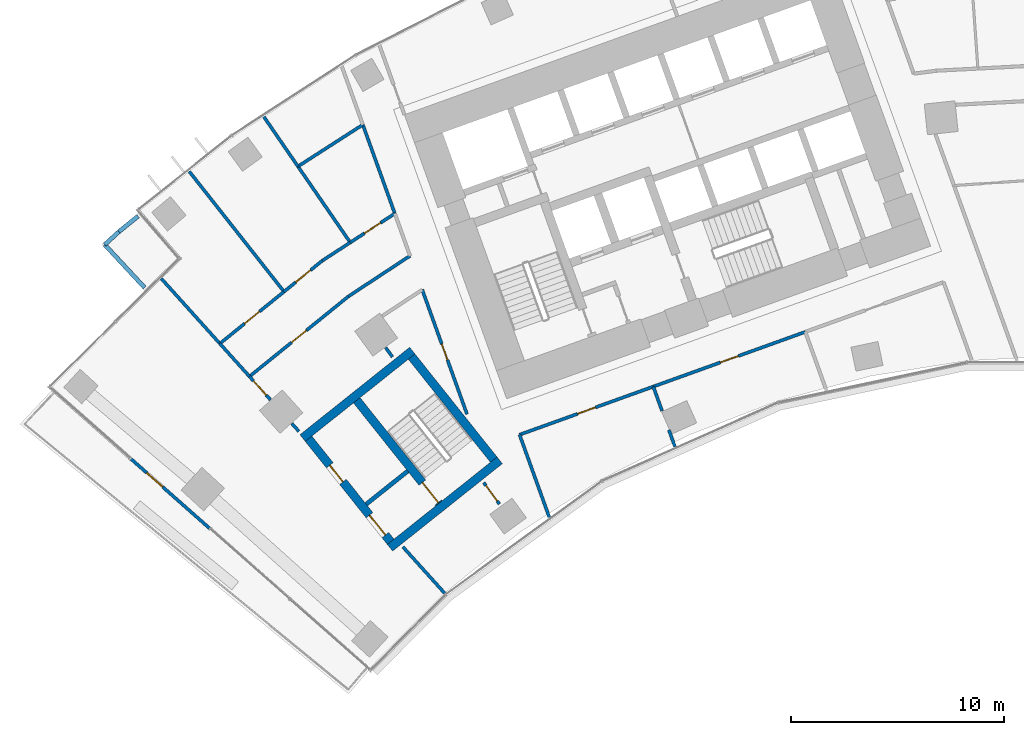
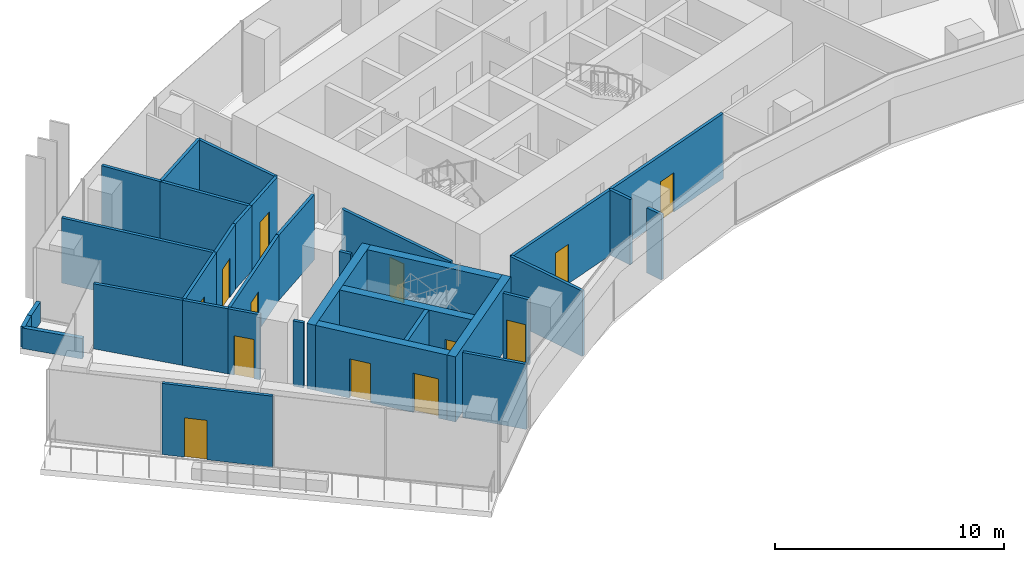
# One storey, part 13 of 21: 34 walls, 13 doors, 13 openings.
"""IFC4 building model written with IfcOpenShell, lengths in metres."""

from ifc_helpers import new_model, si_unit, direction, frame, frame_2d, origin, place, context, subcontext, project, spatial, rectangle, extrude, material, layer, layer_set, type_object, element, fill, save


model = new_model("IFC4")

# Units and contexts
model_context = context("Model", 3, precision=1e-05, world=origin(), true_north=direction((0.0, 1.0)))
body_context = subcontext(model_context, "Body", "Model", "MODEL_VIEW")
ifc_project = project(units=[si_unit("LENGTHUNIT", "METRE"), si_unit("AREAUNIT", "SQUARE_METRE"), si_unit("VOLUMEUNIT", "CUBIC_METRE"), si_unit("PLANEANGLEUNIT", "RADIAN"), si_unit("MASSUNIT", "GRAM", prefix="KILO")], contexts=[model_context])

# Site, building, storey
site_placement = place(None, origin())
site = spatial("IfcSite", under=ifc_project, at=site_placement, CompositionType="ELEMENT")
building_placement = place(site_placement, origin())
building = spatial("IfcBuilding", under=site, at=building_placement, Name="Stone Belt Terrace Tower", CompositionType="ELEMENT")
storey_placement = place(building_placement, frame((0.0, 0.0, 113.60009765625)))
storey = spatial("IfcBuildingStorey", under=building, at=storey_placement, Name="L27", CompositionType="ELEMENT", Elevation=113.60009765625)

# Wall, opening, door
ifc_material_1 = material(Name="Terracotta coloured glazed ceramic", Category="masonry")
ifc_layer_1 = layer(ifc_material_1, 0.14990234375)
ifc_layer_set_1 = layer_set([ifc_layer_1], Name="Ceramic rain-screen wall 150")
wall_type_1 = type_object("IfcWallType", Name="Ceramic rain-screen wall 150", PredefinedType="SOLIDWALL", material=ifc_layer_set_1)
wall_1_placement = place(storey_placement, frame((-43.87158203125, 38.652587890625, 0.0), z_axis=(0.0, 0.0, 1.0), x_axis=(0.749491603218, -0.662013849331, 0.0)))
wall_1 = element("IfcWall", 1, at=wall_1_placement, inside=storey, type_object=wall_type_1, Name="Door wall L27", PredefinedType="SOLIDWALL", context=body_context, shape_type="SweptSolid", body=[
    extrude(rectangle(XDim=4.93994140625, YDim=0.14990234375, at=frame_2d((2.469970703125, 0.0))), origin(), (0.0, 0.0, 1.0), 3.7998046875),
])
opening_1_placement = place(wall_1_placement, frame((1.0, 0.0, 0.0)))
opening_1 = element("IfcOpeningElement", 2, at=opening_1_placement, cuts=wall_1, Name="Opening L27-E01", PredefinedType="OPENING", context=body_context, shape_type="SweptSolid", body=[
    extrude(rectangle(XDim=1.0, YDim=2.10009765625, at=frame_2d((0.5, 1.050048828125))), frame((0.0, 0.0849609375, 0.0), z_axis=(0.0, -1.0, 0.0), x_axis=(1.0, 0.0, 0.0)), (0.0, 0.0, 1.0), 0.169921875),
])
ifc_material_2 = material(Name="Anodised aluminium glazed door", Category="aluminium")
door_type_1 = type_object("IfcDoorType", Name="Terrace door 1000 x 2100", OperationType="NOTDEFINED", PredefinedType="DOOR", material=ifc_material_2)
door_1_placement = place(opening_1_placement, origin())
door_1 = element("IfcDoor", 3, at=door_1_placement, inside=storey, type_object=door_type_1, Name="Terrace door L27", OperationType="SINGLE_SWING_RIGHT", OverallHeight=2.10009765625, OverallWidth=1.0, PredefinedType="DOOR", context=body_context, shape_type="SweptSolid", body=[
    extrude(rectangle(XDim=1.0, YDim=2.10009765625, at=frame_2d((0.5, 1.050048828125))), frame((0.0, 0.02490234375, 0.0), z_axis=(0.0, -1.0, 0.0), x_axis=(1.0, 0.0, 0.0)), (0.0, 0.0, 1.0), 0.050048828125),
])
fill(opening_1, door_1)

# Wall
ifc_material_3 = material(Name="Gypsum board partition")
ifc_layer_2 = layer(ifc_material_3, 0.14990234375)
ifc_layer_set_2 = layer_set([ifc_layer_2], Name="PARTITION 150 EI 60")
wall_type_2 = type_object("IfcWallType", Name="PARTITION 150 EI 60", PredefinedType="PARTITIONING", material=ifc_layer_set_2)
wall_2_placement = place(storey_placement, frame((-25.5859375, 39.79296875, 0.0), z_axis=(0.0, 0.0, 1.0), x_axis=(0.338545933013, -0.940949866486, 0.0)))
element("IfcWall", 4, at=wall_2_placement, inside=storey, type_object=wall_type_2, Name="L27/wall/i001", PredefinedType="PARTITIONING", context=body_context, shape_type="SweptSolid", body=[
    extrude(rectangle(XDim=4.135009765625, YDim=0.14990234375, at=frame_2d((2.0673828125, 0.0))), origin(), (0.0, 0.0, 1.0), 3.47998046875),
])

# Wall, opening, door
wall_3_placement = place(storey_placement, frame((-28.05810546875, 40.75390625, 0.0), z_axis=(0.0, 0.0, 1.0), x_axis=(-0.338523697563, 0.94095786632, 0.0)))
wall_3 = element("IfcWall", 5, at=wall_3_placement, inside=storey, type_object=wall_type_2, Name="L27/wall/i003", PredefinedType="PARTITIONING", context=body_context, shape_type="SweptSolid", body=[
    extrude(rectangle(XDim=6.226806640625, YDim=0.14990234375, at=frame_2d((3.11328125, 0.0))), origin(), (0.0, 0.0, 1.0), 3.47998046875),
])
opening_2_placement = place(wall_3_placement, frame((2.71337890625, 0.0, 0.0)))
opening_2 = element("IfcOpeningElement", 6, at=opening_2_placement, cuts=wall_3, Name="Opening D-B4-12", PredefinedType="OPENING", context=body_context, shape_type="SweptSolid", body=[
    extrude(rectangle(XDim=0.800048828125, YDim=2.10009765625, at=frame_2d((0.39990234375, 1.050048828125))), frame((0.0, 0.0849609375, 0.0), z_axis=(0.0, -1.0, 0.0), x_axis=(1.0, 0.0, 0.0)), (0.0, 0.0, 1.0), 0.169921875),
])
ifc_material_4 = material(Name="Timber door leaf", Category="wood")
door_type_2 = type_object("IfcDoorType", Name="STORE DOOR 800 X 2100", OperationType="NOTDEFINED", PredefinedType="DOOR", material=ifc_material_4)
door_2_placement = place(opening_2_placement, origin())
door_2 = element("IfcDoor", 7, at=door_2_placement, inside=storey, type_object=door_type_2, Name="L27/door/i12", OperationType="SINGLE_SWING_RIGHT", OverallHeight=2.10009765625, OverallWidth=0.800048828125, PredefinedType="DOOR", context=body_context, shape_type="SweptSolid", body=[
    extrude(rectangle(XDim=0.800048828125, YDim=2.10009765625, at=frame_2d((0.39990234375, 1.050048828125))), frame((0.0, 0.02490234375, 0.0), z_axis=(0.0, -1.0, 0.0), x_axis=(1.0, 0.0, 0.0)), (0.0, 0.0, 1.0), 0.050048828125),
])
fill(opening_2, door_2)

wall_4_placement = place(storey_placement, frame((-26.534912109375, 36.52294921875, 0.0), z_axis=(0.0, 0.0, 1.0), x_axis=(-0.58822969918, 0.80869389821, 0.0)))
wall_4 = element("IfcWall", 8, at=wall_4_placement, inside=storey, type_object=wall_type_2, Name="L27/wall/i004", PredefinedType="PARTITIONING", context=body_context, shape_type="SweptSolid", body=[
    extrude(rectangle(XDim=1.25146484375, YDim=0.14990234375, at=frame_2d((0.625732421875, 0.0))), origin(), (0.0, 0.0, 1.0), 3.47998046875),
])
opening_3_placement = place(wall_4_placement, frame((0.17578125, 0.0, 0.0)))
opening_3 = element("IfcOpeningElement", 9, at=opening_3_placement, cuts=wall_4, Name="Opening D-B4-13", PredefinedType="OPENING", context=body_context, shape_type="SweptSolid", body=[
    extrude(rectangle(XDim=0.89990234375, YDim=2.10009765625, at=frame_2d((0.449951171875, 1.050048828125))), frame((0.0, 0.0849609375, 0.0), z_axis=(0.0, -1.0, 0.0), x_axis=(1.0, 0.0, 0.0)), (0.0, 0.0, 1.0), 0.169921875),
])
door_type_3 = type_object("IfcDoorType", Name="OFFICE DOOR 900 X 2100", OperationType="NOTDEFINED", PredefinedType="DOOR", material=ifc_material_4)
door_3_placement = place(opening_3_placement, origin())
door_3 = element("IfcDoor", 10, at=door_3_placement, inside=storey, type_object=door_type_3, Name="L27/door/i13", OperationType="SINGLE_SWING_RIGHT", OverallHeight=2.10009765625, OverallWidth=0.89990234375, PredefinedType="DOOR", context=body_context, shape_type="SweptSolid", body=[
    extrude(rectangle(XDim=0.89990234375, YDim=2.10009765625, at=frame_2d((0.449951171875, 1.050048828125))), frame((0.0, 0.02490234375, 0.0), z_axis=(0.0, -1.0, 0.0), x_axis=(1.0, 0.0, 0.0)), (0.0, 0.0, 1.0), 0.050048828125),
])
fill(opening_3, door_3)

# Wall
wall_5_placement = place(storey_placement, frame((-31.451904296875, 50.18505859375, 0.0), z_axis=(0.0, 0.0, 1.0), x_axis=(-0.338639924683, 0.940916043763, 0.0)))
element("IfcWall", 11, at=wall_5_placement, inside=storey, type_object=wall_type_2, Name="L27/wall/i006", PredefinedType="PARTITIONING", context=body_context, shape_type="SweptSolid", body=[
    extrude(rectangle(XDim=4.4560546875, YDim=0.14990234375, at=frame_2d((2.22802734375, 0.0))), origin(), (0.0, 0.0, 1.0), 3.47998046875),
])

# Wall, opening, door
wall_6_placement = place(storey_placement, frame((-19.287109375, 42.052978515625, 0.0), z_axis=(0.0, 0.0, 1.0), x_axis=(-0.940935304033, -0.33858640496, 0.0)))
wall_6 = element("IfcWall", 12, at=wall_6_placement, inside=storey, type_object=wall_type_2, Name="L27/wall/i014", PredefinedType="PARTITIONING", context=body_context, shape_type="SweptSolid", body=[
    extrude(rectangle(XDim=6.692138671875, YDim=0.14990234375, at=frame_2d((3.34619140625, 0.0))), origin(), (0.0, 0.0, 1.0), 3.47998046875),
])
opening_4_placement = place(wall_6_placement, frame((2.896240234375, 0.0, 0.0)))
opening_4 = element("IfcOpeningElement", 13, at=opening_4_placement, cuts=wall_6, Name="Opening D-B4-01", PredefinedType="OPENING", context=body_context, shape_type="SweptSolid", body=[
    extrude(rectangle(XDim=0.89990234375, YDim=2.10009765625, at=frame_2d((0.449951171875, 1.050048828125))), frame((0.0, 0.0849609375, 0.0), z_axis=(0.0, -1.0, 0.0), x_axis=(1.0, 0.0, 0.0)), (0.0, 0.0, 1.0), 0.169921875),
])
door_4_placement = place(opening_4_placement, origin())
door_4 = element("IfcDoor", 14, at=door_4_placement, inside=storey, type_object=door_type_3, Name="L27/door/i01", OperationType="SINGLE_SWING_RIGHT", OverallHeight=2.10009765625, OverallWidth=0.89990234375, PredefinedType="DOOR", context=body_context, shape_type="SweptSolid", body=[
    extrude(rectangle(XDim=0.89990234375, YDim=2.10009765625, at=frame_2d((0.449951171875, 1.050048828125))), frame((0.0, 0.02490234375, 0.0), z_axis=(0.0, -1.0, 0.0), x_axis=(1.0, 0.0, 0.0)), (0.0, 0.0, 1.0), 0.050048828125),
])
fill(opening_4, door_4)

wall_7_placement = place(storey_placement, frame((-12.135009765625, 44.626953125, 0.0), z_axis=(0.0, 0.0, 1.0), x_axis=(-0.940936863003, -0.338582072534, 0.0)))
wall_7 = element("IfcWall", 15, at=wall_7_placement, inside=storey, type_object=wall_type_2, Name="L27/wall/i015", PredefinedType="PARTITIONING", context=body_context, shape_type="SweptSolid", body=[
    extrude(rectangle(XDim=7.61376953125, YDim=0.14990234375, at=frame_2d((3.806884765625, 0.0))), origin(), (0.0, 0.0, 1.0), 3.47998046875),
])
opening_5_placement = place(wall_7_placement, frame((3.35693359375, 0.0, 0.0)))
opening_5 = element("IfcOpeningElement", 16, at=opening_5_placement, cuts=wall_7, Name="Opening D-B4-02", PredefinedType="OPENING", context=body_context, shape_type="SweptSolid", body=[
    extrude(rectangle(XDim=0.89990234375, YDim=2.10009765625, at=frame_2d((0.449951171875, 1.050048828125))), frame((0.0, 0.0849609375, 0.0), z_axis=(0.0, -1.0, 0.0), x_axis=(1.0, 0.0, 0.0)), (0.0, 0.0, 1.0), 0.169921875),
])
door_5_placement = place(opening_5_placement, origin())
door_5 = element("IfcDoor", 17, at=door_5_placement, inside=storey, type_object=door_type_3, Name="L27/door/i02", OperationType="SINGLE_SWING_RIGHT", OverallHeight=2.10009765625, OverallWidth=0.89990234375, PredefinedType="DOOR", context=body_context, shape_type="SweptSolid", body=[
    extrude(rectangle(XDim=0.89990234375, YDim=2.10009765625, at=frame_2d((0.449951171875, 1.050048828125))), frame((0.0, 0.02490234375, 0.0), z_axis=(0.0, -1.0, 0.0), x_axis=(1.0, 0.0, 0.0)), (0.0, 0.0, 1.0), 0.050048828125),
])
fill(opening_5, door_5)

# Walls
wall_8_placement = place(storey_placement, frame((-19.29296875, 42.051025390625, 0.0), z_axis=(0.0, 0.0, 1.0), x_axis=(0.338726578261, -0.940884852242, 0.0)))
element("IfcWall", 18, at=wall_8_placement, inside=storey, type_object=wall_type_2, Name="L27/wall/i017", PredefinedType="PARTITIONING", context=body_context, shape_type="SweptSolid", body=[
    extrude(rectangle(XDim=1.2158203125, YDim=0.14990234375, at=frame_2d((0.60791015625, 0.0))), origin(), (0.0, 0.0, 1.0), 3.47998046875),
])
wall_9_placement = place(storey_placement, frame((-18.55908203125, 40.0126953125, 0.0), z_axis=(0.0, 0.0, 1.0), x_axis=(0.338739990078, -0.940880023766, 0.0)))
element("IfcWall", 19, at=wall_9_placement, inside=storey, type_object=wall_type_2, Name="L27/wall/i018", PredefinedType="PARTITIONING", context=body_context, shape_type="SweptSolid", body=[
    extrude(rectangle(XDim=0.842529296875, YDim=0.14990234375, at=frame_2d((0.42138671875, 0.0))), origin(), (0.0, 0.0, 1.0), 3.47998046875),
])

# Wall, opening, door
wall_10_placement = place(storey_placement, frame((-37.3076171875, 41.433837890625, 0.0), z_axis=(0.0, 0.0, 1.0), x_axis=(-0.669238977833, 0.743047233054, 0.0)))
wall_10 = element("IfcWall", 20, at=wall_10_placement, inside=storey, type_object=wall_type_2, Name="L27/wall/i037", PredefinedType="PARTITIONING", context=body_context, shape_type="SweptSolid", body=[
    extrude(rectangle(XDim=1.475341796875, YDim=0.14990234375, at=frame_2d((0.73779296875, 0.0))), origin(), (0.0, 0.0, 1.0), 3.47998046875),
])
opening_6_placement = place(wall_10_placement, frame((0.28759765625, 0.0, 0.0)))
opening_6 = element("IfcOpeningElement", 21, at=opening_6_placement, cuts=wall_10, Name="Opening D-B4-11", PredefinedType="OPENING", context=body_context, shape_type="SweptSolid", body=[
    extrude(rectangle(XDim=0.89990234375, YDim=2.10009765625, at=frame_2d((0.449951171875, 1.050048828125))), frame((0.0, 0.0849609375, 0.0), z_axis=(0.0, -1.0, 0.0), x_axis=(1.0, 0.0, 0.0)), (0.0, 0.0, 1.0), 0.169921875),
])
ifc_material_5 = material(Name="Timber fire door leaf", Category="wood")
door_type_4 = type_object("IfcDoorType", Name="TENANCY ENTRANCE DOOR 900 X 2100", OperationType="NOTDEFINED", PredefinedType="DOOR", material=ifc_material_5)
door_6_placement = place(opening_6_placement, origin())
door_6 = element("IfcDoor", 22, at=door_6_placement, inside=storey, type_object=door_type_4, Name="L27/door/i11", OperationType="SINGLE_SWING_RIGHT", OverallHeight=2.10009765625, OverallWidth=0.89990234375, PredefinedType="DOOR", context=body_context, shape_type="SweptSolid", body=[
    extrude(rectangle(XDim=0.89990234375, YDim=2.10009765625, at=frame_2d((0.449951171875, 1.050048828125))), frame((0.0, 0.02490234375, 0.0), z_axis=(0.0, -1.0, 0.0), x_axis=(1.0, 0.0, 0.0)), (0.0, 0.0, 1.0), 0.050048828125),
])
fill(opening_6, door_6)

# Walls
wall_11_placement = place(storey_placement, frame((-36.297119140625, 40.311767578125, 0.0), z_axis=(0.0, 0.0, 1.0), x_axis=(0.669100229536, -0.743172175768, 0.0)))
element("IfcWall", 23, at=wall_11_placement, inside=storey, type_object=wall_type_2, Name="L27/wall/i038", PredefinedType="PARTITIONING", context=body_context, shape_type="SweptSolid", body=[
    extrude(rectangle(XDim=0.497802734375, YDim=0.14990234375, at=frame_2d((0.2490234375, 0.0))), origin(), (0.0, 0.0, 1.0), 3.47998046875),
])
wall_12_placement = place(storey_placement, frame((-31.071044921875, 34.507080078125, 0.0), z_axis=(0.0, 0.0, 1.0), x_axis=(0.669245075227, -0.74304174128, 0.0)))
element("IfcWall", 24, at=wall_12_placement, inside=storey, type_object=wall_type_2, Name="L27/wall/i039", PredefinedType="PARTITIONING", context=body_context, shape_type="SweptSolid", body=[
    extrude(rectangle(XDim=2.9345703125, YDim=0.14990234375, at=frame_2d((1.46728515625, 0.0))), origin(), (0.0, 0.0, 1.0), 3.47998046875),
])
wall_13_placement = place(storey_placement, frame((-39.68896484375, 44.077880859375, 0.0), z_axis=(0.0, 0.0, 1.0), x_axis=(0.66913854866, -0.743137674121, 0.0)))
element("IfcWall", 25, at=wall_13_placement, inside=storey, type_object=wall_type_2, Name="L27/wall/i040", PredefinedType="PARTITIONING", context=body_context, shape_type="SweptSolid", body=[
    extrude(rectangle(XDim=2.094970703125, YDim=0.14990234375, at=frame_2d((1.04736328125, 0.0))), origin(), (0.0, 0.0, 1.0), 3.47998046875),
])
wall_14_placement = place(storey_placement, frame((-42.43896484375, 47.13232421875, 0.0), z_axis=(0.0, 0.0, 1.0), x_axis=(0.669118518317, -0.743155709421, 0.0)))
element("IfcWall", 26, at=wall_14_placement, inside=storey, type_object=wall_type_2, Name="L27/wall/i041", PredefinedType="PARTITIONING", context=body_context, shape_type="SweptSolid", body=[
    extrude(rectangle(XDim=4.121826171875, YDim=0.14990234375, at=frame_2d((2.06103515625, 0.0))), origin(), (0.0, 0.0, 1.0), 3.47998046875),
])
wall_15_placement = place(storey_placement, frame((-31.88427734375, 43.88525390625, 0.0), z_axis=(0.0, 0.0, 1.0), x_axis=(0.588064762831, -0.808813844291, 0.0)))
element("IfcWall", 27, at=wall_15_placement, inside=storey, type_object=wall_type_2, Name="L27/wall/i043", PredefinedType="PARTITIONING", context=body_context, shape_type="SweptSolid", body=[
    extrude(rectangle(XDim=0.54296875, YDim=0.14990234375, at=frame_2d((0.271484375, 0.0))), origin(), (0.0, 0.0, 1.0), 3.47998046875),
])

# Wall, opening, door
wall_16_placement = place(storey_placement, frame((-38.2900390625, 42.527099609375, 0.0), z_axis=(0.0, 0.0, 1.0), x_axis=(0.77714422733, 0.629322532513, 0.0)))
wall_16 = element("IfcWall", 28, at=wall_16_placement, inside=storey, type_object=wall_type_2, Name="L27/wall/i044", PredefinedType="PARTITIONING", context=body_context, shape_type="SweptSolid", body=[
    extrude(rectangle(XDim=5.98876953125, YDim=0.14990234375, at=frame_2d((2.994384765625, 0.0))), origin(), (0.0, 0.0, 1.0), 3.47998046875),
])
opening_7_placement = place(wall_16_placement, frame((2.54443359375, 0.0, 0.0)))
opening_7 = element("IfcOpeningElement", 29, at=opening_7_placement, cuts=wall_16, Name="Opening D-B4-14", PredefinedType="OPENING", context=body_context, shape_type="SweptSolid", body=[
    extrude(rectangle(XDim=0.89990234375, YDim=2.10009765625, at=frame_2d((0.449951171875, 1.050048828125))), frame((0.0, 0.0849609375, 0.0), z_axis=(0.0, -1.0, 0.0), x_axis=(1.0, 0.0, 0.0)), (0.0, 0.0, 1.0), 0.169921875),
])
door_7_placement = place(opening_7_placement, origin())
door_7 = element("IfcDoor", 30, at=door_7_placement, inside=storey, type_object=door_type_3, Name="L27/door/i14", OperationType="SINGLE_SWING_RIGHT", OverallHeight=2.10009765625, OverallWidth=0.89990234375, PredefinedType="DOOR", context=body_context, shape_type="SweptSolid", body=[
    extrude(rectangle(XDim=0.89990234375, YDim=2.10009765625, at=frame_2d((0.449951171875, 1.050048828125))), frame((0.0, 0.02490234375, 0.0), z_axis=(0.0, -1.0, 0.0), x_axis=(1.0, 0.0, 0.0)), (0.0, 0.0, 1.0), 0.050048828125),
])
fill(opening_7, door_7)

# Wall
wall_17_placement = place(storey_placement, frame((-33.635986328125, 46.2958984375, 0.0), z_axis=(0.0, 0.0, 1.0), x_axis=(0.835274160171, 0.549833681535, 0.0)))
element("IfcWall", 31, at=wall_17_placement, inside=storey, type_object=wall_type_2, Name="L27/wall/i045", PredefinedType="PARTITIONING", context=body_context, shape_type="SweptSolid", body=[
    extrude(rectangle(XDim=3.46826171875, YDim=0.14990234375, at=frame_2d((1.734130859375, 0.0))), origin(), (0.0, 0.0, 1.0), 3.47998046875),
])

# Wall, opening, door
wall_18_placement = place(storey_placement, frame((-39.68408203125, 44.073974609375, 0.0), z_axis=(0.0, 0.0, 1.0), x_axis=(0.777161522309, 0.629301174512, 0.0)))
wall_18 = element("IfcWall", 32, at=wall_18_placement, inside=storey, type_object=wall_type_2, Name="L27/wall/i046", PredefinedType="PARTITIONING", context=body_context, shape_type="SweptSolid", body=[
    extrude(rectangle(XDim=3.888427734375, YDim=0.14990234375, at=frame_2d((1.9443359375, 0.0))), origin(), (0.0, 0.0, 1.0), 3.47998046875),
])
opening_8_placement = place(wall_18_placement, frame((1.494140625, 0.0, 0.0)))
opening_8 = element("IfcOpeningElement", 33, at=opening_8_placement, cuts=wall_18, Name="Opening D-B4-15", PredefinedType="OPENING", context=body_context, shape_type="SweptSolid", body=[
    extrude(rectangle(XDim=0.89990234375, YDim=2.10009765625, at=frame_2d((0.449951171875, 1.050048828125))), frame((0.0, 0.0849609375, 0.0), z_axis=(0.0, -1.0, 0.0), x_axis=(1.0, 0.0, 0.0)), (0.0, 0.0, 1.0), 0.169921875),
])
door_8_placement = place(opening_8_placement, origin())
door_8 = element("IfcDoor", 34, at=door_8_placement, inside=storey, type_object=door_type_3, Name="L27/door/i15", OperationType="SINGLE_SWING_RIGHT", OverallHeight=2.10009765625, OverallWidth=0.89990234375, PredefinedType="DOOR", context=body_context, shape_type="SweptSolid", body=[
    extrude(rectangle(XDim=0.89990234375, YDim=2.10009765625, at=frame_2d((0.449951171875, 1.050048828125))), frame((0.0, 0.02490234375, 0.0), z_axis=(0.0, -1.0, 0.0), x_axis=(1.0, 0.0, 0.0)), (0.0, 0.0, 1.0), 0.050048828125),
])
fill(opening_8, door_8)

wall_19_placement = place(storey_placement, frame((-36.6708984375, 46.512939453125, 0.0), z_axis=(0.0, 0.0, 1.0), x_axis=(0.777000851917, 0.629499544178, 0.0)))
wall_19 = element("IfcWall", 35, at=wall_19_placement, inside=storey, type_object=wall_type_2, Name="L27/wall/i047", PredefinedType="PARTITIONING", context=body_context, shape_type="SweptSolid", body=[
    extrude(rectangle(XDim=2.33056640625, YDim=0.14990234375, at=frame_2d((1.165283203125, 0.0))), origin(), (0.0, 0.0, 1.0), 3.47998046875),
])
opening_9_placement = place(wall_19_placement, frame((0.71533203125, 0.0, 0.0)))
opening_9 = element("IfcOpeningElement", 36, at=opening_9_placement, cuts=wall_19, Name="Opening D-B4-16", PredefinedType="OPENING", context=body_context, shape_type="SweptSolid", body=[
    extrude(rectangle(XDim=0.89990234375, YDim=2.10009765625, at=frame_2d((0.449951171875, 1.050048828125))), frame((0.0, 0.0849609375, 0.0), z_axis=(0.0, -1.0, 0.0), x_axis=(1.0, 0.0, 0.0)), (0.0, 0.0, 1.0), 0.169921875),
])
door_9_placement = place(opening_9_placement, origin())
door_9 = element("IfcDoor", 37, at=door_9_placement, inside=storey, type_object=door_type_3, Name="L27/door/i16", OperationType="SINGLE_SWING_RIGHT", OverallHeight=2.10009765625, OverallWidth=0.89990234375, PredefinedType="DOOR", context=body_context, shape_type="SweptSolid", body=[
    extrude(rectangle(XDim=0.89990234375, YDim=2.10009765625, at=frame_2d((0.449951171875, 1.050048828125))), frame((0.0, 0.02490234375, 0.0), z_axis=(0.0, -1.0, 0.0), x_axis=(1.0, 0.0, 0.0)), (0.0, 0.0, 1.0), 0.050048828125),
])
fill(opening_9, door_9)

# Wall
wall_20_placement = place(storey_placement, frame((-34.860107421875, 47.97998046875, 0.0), z_axis=(0.0, 0.0, 1.0), x_axis=(0.838795891519, 0.54444600501, 0.0)))
element("IfcWall", 38, at=wall_20_placement, inside=storey, type_object=wall_type_2, Name="L27/wall/i048", PredefinedType="PARTITIONING", context=body_context, shape_type="SweptSolid", body=[
    extrude(rectangle(XDim=1.56689453125, YDim=0.14990234375, at=frame_2d((0.783447265625, 0.0))), origin(), (0.0, 0.0, 1.0), 3.47998046875),
])

# Wall, opening, door
wall_21_placement = place(storey_placement, frame((-33.555908203125, 48.826904296875, 0.0), z_axis=(0.0, 0.0, 1.0), x_axis=(0.838837427298, 0.544382007935, 0.0)))
wall_21 = element("IfcWall", 39, at=wall_21_placement, inside=storey, type_object=wall_type_2, Name="L27/wall/i049", PredefinedType="PARTITIONING", context=body_context, shape_type="SweptSolid", body=[
    extrude(rectangle(XDim=2.505615234375, YDim=0.14990234375, at=frame_2d((1.2529296875, 0.0))), origin(), (0.0, 0.0, 1.0), 3.47998046875),
])
opening_10_placement = place(wall_21_placement, frame((0.802978515625, 0.0, 0.0)))
opening_10 = element("IfcOpeningElement", 40, at=opening_10_placement, cuts=wall_21, Name="Opening D-B4-17", PredefinedType="OPENING", context=body_context, shape_type="SweptSolid", body=[
    extrude(rectangle(XDim=0.89990234375, YDim=2.10009765625, at=frame_2d((0.449951171875, 1.050048828125))), frame((0.0, 0.0849609375, 0.0), z_axis=(0.0, -1.0, 0.0), x_axis=(1.0, 0.0, 0.0)), (0.0, 0.0, 1.0), 0.169921875),
])
door_10_placement = place(opening_10_placement, origin())
door_10 = element("IfcDoor", 41, at=door_10_placement, inside=storey, type_object=door_type_3, Name="L27/door/i17", OperationType="SINGLE_SWING_RIGHT", OverallHeight=2.10009765625, OverallWidth=0.89990234375, PredefinedType="DOOR", context=body_context, shape_type="SweptSolid", body=[
    extrude(rectangle(XDim=0.89990234375, YDim=2.10009765625, at=frame_2d((0.449951171875, 1.050048828125))), frame((0.0, 0.02490234375, 0.0), z_axis=(0.0, -1.0, 0.0), x_axis=(1.0, 0.0, 0.0)), (0.0, 0.0, 1.0), 0.050048828125),
])
fill(opening_10, door_10)

# Walls
wall_22_placement = place(storey_placement, frame((-41.130859375, 52.180419921875, 0.0), z_axis=(0.0, 0.0, 1.0), x_axis=(0.619030466351, -0.78536697265, 0.0)))
element("IfcWall", 42, at=wall_22_placement, inside=storey, type_object=wall_type_2, Name="L27/wall/i050", PredefinedType="PARTITIONING", context=body_context, shape_type="SweptSolid", body=[
    extrude(rectangle(XDim=7.211181640625, YDim=0.14990234375, at=frame_2d((3.60546875, 0.0))), origin(), (0.0, 0.0, 1.0), 3.47998046875),
])
wall_23_placement = place(storey_placement, frame((-36.013916015625, 52.4140625, 0.0), z_axis=(0.0, 0.0, 1.0), x_axis=(0.566357258318, -0.824159848543, 0.0)))
element("IfcWall", 43, at=wall_23_placement, inside=storey, type_object=wall_type_2, Name="L27/wall/i051", PredefinedType="PARTITIONING", context=body_context, shape_type="SweptSolid", body=[
    extrude(rectangle(XDim=4.3486328125, YDim=0.14990234375, at=frame_2d((2.17431640625, 0.0))), origin(), (0.0, 0.0, 1.0), 3.47998046875),
])
wall_24_placement = place(storey_placement, frame((-37.61962890625, 54.75244140625, 0.0), z_axis=(0.0, 0.0, 1.0), x_axis=(0.566219533081, -0.824254475485, 0.0)))
element("IfcWall", 44, at=wall_24_placement, inside=storey, type_object=wall_type_2, Name="L27/wall/i052", PredefinedType="PARTITIONING", context=body_context, shape_type="SweptSolid", body=[
    extrude(rectangle(XDim=2.847900390625, YDim=0.14990234375, at=frame_2d((1.423828125, 0.0))), origin(), (0.0, 0.0, 1.0), 3.47998046875),
])
wall_25_placement = place(storey_placement, frame((-36.010009765625, 52.409912109375, 0.0), z_axis=(0.0, 0.0, 1.0), x_axis=(0.841080058793, 0.540910653158, 0.0)))
element("IfcWall", 45, at=wall_25_placement, inside=storey, type_object=wall_type_2, Name="L27/wall/i053", PredefinedType="PARTITIONING", context=body_context, shape_type="SweptSolid", body=[
    extrude(rectangle(XDim=3.62744140625, YDim=0.14990234375, at=frame_2d((1.813720703125, 0.0))), origin(), (0.0, 0.0, 1.0), 3.47998046875),
])
ifc_material_6 = material(Name="Concrete masonry block", Category="masonry")
ifc_layer_3 = layer(ifc_material_6, 0.199951171875)
ifc_layer_set_3 = layer_set([ifc_layer_3], Name="Rated lobby wall 200")
wall_type_3 = type_object("IfcWallType", Name="Rated lobby wall 200", PredefinedType="PARTITIONING", material=ifc_layer_set_3)
wall_26_placement = place(storey_placement, frame((-30.845703125, 38.074951171875, 0.0), z_axis=(0.0, 0.0, 1.0), x_axis=(-0.782115323833, -0.623133709749, 0.0)))
element("IfcWall", 46, at=wall_26_placement, inside=storey, type_object=wall_type_3, Name="Exit stair ST3A wall", PredefinedType="PARTITIONING", context=body_context, shape_type="SweptSolid", body=[
    extrude(rectangle(XDim=2.5, YDim=0.199951171875, at=frame_2d((1.25, 0.0))), origin(), (0.0, 0.0, 1.0), 3.47998046875),
])
ifc_material_7 = material(Name="Precast concrete C40/50", Category="concrete")
ifc_layer_4 = layer(ifc_material_7, 0.199951171875)
ifc_layer_set_4 = layer_set([ifc_layer_4], Name="Roof parapet 200 x 1100")
wall_type_4 = type_object("IfcWallType", Name="Roof parapet 200 x 1100", PredefinedType="PARAPET", material=ifc_layer_set_4)
wall_27_placement = place(storey_placement, frame((-45.104248046875, 48.728515625, 0.0), z_axis=(0.0, 0.0, 1.0), x_axis=(0.68039341996, -0.732847046849, 0.0)))
element("IfcWall", 47, at=wall_27_placement, inside=storey, type_object=wall_type_4, Name="PARAPET L27", PredefinedType="PARAPET", context=body_context, shape_type="SweptSolid", body=[
    extrude(rectangle(XDim=2.760009765625, YDim=0.199951171875, at=frame_2d((1.3798828125, 0.0))), origin(), (0.0, 0.0, 1.0), 1.099853515625),
])
wall_28_placement = place(storey_placement, frame((-43.53515625, 50.069580078125, 0.0), z_axis=(0.0, 0.0, 1.0), x_axis=(-0.77707733025, -0.629405134085, 0.0)))
element("IfcWall", 48, at=wall_28_placement, inside=storey, type_object=wall_type_4, Name="PARAPET L27", PredefinedType="PARAPET", context=body_context, shape_type="SweptSolid", body=[
    extrude(rectangle(XDim=1.154052734375, YDim=0.199951171875, at=frame_2d((0.5771484375, 0.0))), origin(), (0.0, 0.0, 1.0), 1.099853515625),
])
wall_29_placement = place(storey_placement, frame((-44.431884765625, 49.34326171875, 0.0), z_axis=(0.0, 0.0, 1.0), x_axis=(-0.73802118598, -0.674777540413, 0.0)))
element("IfcWall", 49, at=wall_29_placement, inside=storey, type_object=wall_type_4, Name="PARAPET L27", PredefinedType="PARAPET", context=body_context, shape_type="SweptSolid", body=[
    extrude(rectangle(XDim=0.9111328125, YDim=0.199951171875, at=frame_2d((0.45556640625, 0.0))), origin(), (0.0, 0.0, 1.0), 1.099853515625),
])
ifc_material_8 = material(Name="Concrete B80", Category="concrete")
ifc_layer_5 = layer(ifc_material_8, 0.39990234375)
ifc_layer_set_5 = layer_set([ifc_layer_5], Name="Stair enclosure wall 400")
wall_type_5 = type_object("IfcWallType", Name="Stair enclosure wall 400", PredefinedType="SHEAR", material=ifc_layer_set_5)
for number, where, z_axis, x_axis, name in (
    (50, (-26.518798828125, 38.58154296875, 0.0), (0.0, 0.0, 1.0), (-0.782133914161, -0.623110375711, 0.0), "Exit stair ST3A wall"),
    (51, (-30.63134765625, 43.74365234375, 0.0), (0.0, 0.0, 1.0), (-0.782133914161, -0.623110375711, 0.0), "Exit stair ST3A wall"),
):
    element("IfcWall", number, at=place(storey_placement, frame(where, z_axis=z_axis, x_axis=x_axis)), inside=storey, type_object=wall_type_5, Name=name, PredefinedType="SHEAR", context=body_context, shape_type="SweptSolid", body=[
        extrude(rectangle(XDim=6.60009765625, YDim=0.39990234375, at=frame_2d((3.300048828125, 0.0))), origin(), (0.0, 0.0, 1.0), 3.47998046875),
    ])
wall_30_placement = place(storey_placement, frame((-26.7998046875, 38.61328125, 0.0), z_axis=(0.0, 0.0, 1.0), x_axis=(-0.623118653668, 0.782127319208, 0.0)))
element("IfcWall", 52, at=wall_30_placement, inside=storey, type_object=wall_type_5, Name="Exit stair ST3A wall", PredefinedType="SHEAR", context=body_context, shape_type="SweptSolid", body=[
    extrude(rectangle(XDim=6.199951171875, YDim=0.39990234375, at=frame_2d((3.10009765625, 0.0))), origin(), (0.0, 0.0, 1.0), 3.47998046875),
])

# Wall, openings, doors
wall_31_placement = place(storey_placement, frame((-31.64892578125, 34.75, 0.0), z_axis=(0.0, 0.0, 1.0), x_axis=(-0.623118653668, 0.782127319208, 0.0)))
wall_31 = element("IfcWall", 53, at=wall_31_placement, inside=storey, type_object=wall_type_5, Name="Exit stair ST3A wall", PredefinedType="SHEAR", context=body_context, shape_type="SweptSolid", body=[
    extrude(rectangle(XDim=6.199951171875, YDim=0.39990234375, at=frame_2d((3.10009765625, 0.0))), origin(), (0.0, 0.0, 1.0), 3.47998046875),
])
opening_11_placement = place(wall_31_placement, frame((0.39990234375, 0.0, 0.0)))
opening_11 = element("IfcOpeningElement", 54, at=opening_11_placement, cuts=wall_31, Name="Opening L27-C24", PredefinedType="OPENING", context=body_context, shape_type="SweptSolid", body=[
    extrude(rectangle(XDim=1.199951171875, YDim=2.10009765625, at=frame_2d((0.60009765625, 1.050048828125))), frame((0.0, 0.2099609375, 0.0), z_axis=(0.0, -1.0, 0.0), x_axis=(1.0, 0.0, 0.0)), (0.0, 0.0, 1.0), 0.419921875),
])
opening_12_placement = place(wall_31_placement, frame((3.60009765625, 0.0, 0.0)))
opening_12 = element("IfcOpeningElement", 55, at=opening_12_placement, cuts=wall_31, Name="Opening L27-C25", PredefinedType="OPENING", context=body_context, shape_type="SweptSolid", body=[
    extrude(rectangle(XDim=1.0, YDim=2.10009765625, at=frame_2d((0.5, 1.050048828125))), frame((0.0, 0.2099609375, 0.0), z_axis=(0.0, -1.0, 0.0), x_axis=(1.0, 0.0, 0.0)), (0.0, 0.0, 1.0), 0.419921875),
])
door_type_5 = type_object("IfcDoorType", Name="Core room door 1000", OperationType="SINGLE_SWING_LEFT", PredefinedType="DOOR", material=ifc_material_4)
door_11_placement = place(opening_12_placement, origin())
door_11 = element("IfcDoor", 56, at=door_11_placement, inside=storey, type_object=door_type_5, Name="Door to stair pressurisation plant room ST3A", OperationType="SINGLE_SWING_LEFT", OverallHeight=2.10009765625, OverallWidth=1.0, PredefinedType="DOOR", context=body_context, shape_type="SweptSolid", body=[
    extrude(rectangle(XDim=1.0, YDim=2.10009765625, at=frame_2d((0.5, 1.050048828125))), frame((0.0, 0.02490234375, 0.0), z_axis=(0.0, -1.0, 0.0), x_axis=(1.0, 0.0, 0.0)), (0.0, 0.0, 1.0), 0.050048828125),
])
fill(opening_12, door_11)
ifc_material_9 = material(Name="Steel door leaf", Category="steel")
door_type_6 = type_object("IfcDoorType", Name="Stair airlock door 1200", OperationType="SINGLE_SWING_LEFT", PredefinedType="DOOR", material=ifc_material_9)
door_12_placement = place(opening_11_placement, origin())
door_12 = element("IfcDoor", 57, at=door_12_placement, inside=storey, type_object=door_type_6, Name="Stair airlock door ST3A", OperationType="SINGLE_SWING_LEFT", OverallHeight=2.10009765625, OverallWidth=1.199951171875, PredefinedType="DOOR", context=body_context, shape_type="SweptSolid", body=[
    extrude(rectangle(XDim=1.199951171875, YDim=2.10009765625, at=frame_2d((0.60009765625, 1.050048828125))), frame((0.0, 0.02490234375, 0.0), z_axis=(0.0, -1.0, 0.0), x_axis=(1.0, 0.0, 0.0)), (0.0, 0.0, 1.0), 0.050048828125),
])
fill(opening_11, door_12)

# Wall, opening, door
wall_32_placement = place(storey_placement, frame((-29.380859375, 36.556884765625, 0.0), z_axis=(0.0, 0.0, 1.0), x_axis=(-0.623099462847, 0.782142608097, 0.0)))
wall_32 = element("IfcWall", 58, at=wall_32_placement, inside=storey, type_object=wall_type_5, Name="Exit stair ST3A wall", PredefinedType="SHEAR", context=body_context, shape_type="SweptSolid", body=[
    extrude(rectangle(XDim=6.2001953125, YDim=0.39990234375, at=frame_2d((3.10009765625, 0.0))), origin(), (0.0, 0.0, 1.0), 3.47998046875),
])
opening_13_placement = place(wall_32_placement, frame((0.050048828125, 0.0, 0.0)))
opening_13 = element("IfcOpeningElement", 59, at=opening_13_placement, cuts=wall_32, Name="Opening L27-C23", PredefinedType="OPENING", context=body_context, shape_type="SweptSolid", body=[
    extrude(rectangle(XDim=1.199951171875, YDim=2.10009765625, at=frame_2d((0.60009765625, 1.050048828125))), frame((0.0, 0.2099609375, 0.0), z_axis=(0.0, -1.0, 0.0), x_axis=(1.0, 0.0, 0.0)), (0.0, 0.0, 1.0), 0.419921875),
])
door_type_7 = type_object("IfcDoorType", Name="Stair door 1200", OperationType="SINGLE_SWING_LEFT", PredefinedType="DOOR", material=ifc_material_9)
door_13_placement = place(opening_13_placement, origin())
door_13 = element("IfcDoor", 60, at=door_13_placement, inside=storey, type_object=door_type_7, Name="Stair door ST3A", OperationType="SINGLE_SWING_RIGHT", OverallHeight=2.10009765625, OverallWidth=1.199951171875, PredefinedType="DOOR", context=body_context, shape_type="SweptSolid", body=[
    extrude(rectangle(XDim=1.199951171875, YDim=2.10009765625, at=frame_2d((0.60009765625, 1.050048828125))), frame((0.0, 0.02490234375, 0.0), z_axis=(0.0, -1.0, 0.0), x_axis=(1.0, 0.0, 0.0)), (0.0, 0.0, 1.0), 0.050048828125),
])
fill(opening_13, door_13)

save(model, "model.ifc")
